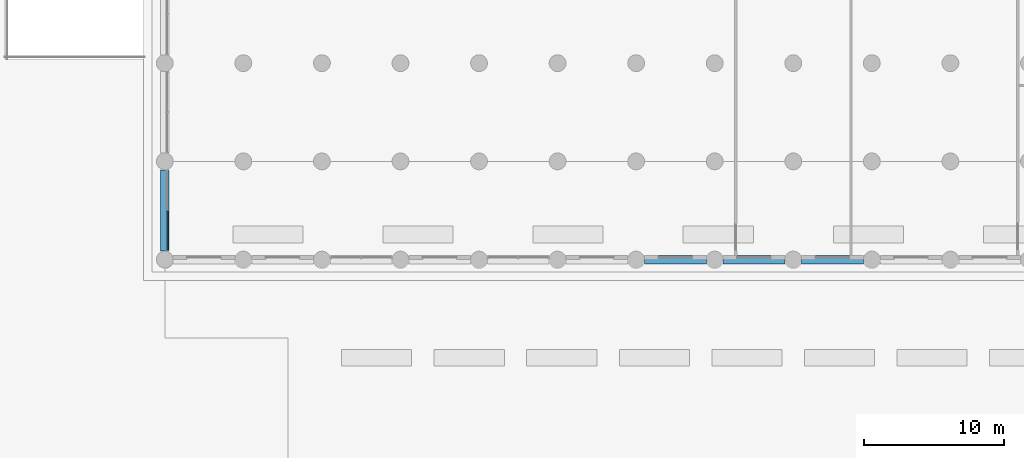
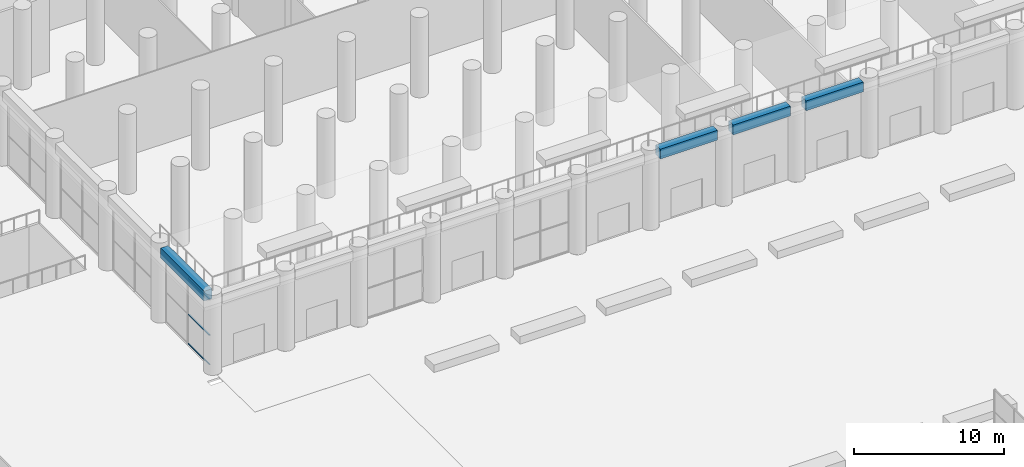
# One storey, part 4 of 51: 4 beams, 3 members, 1 element without a shape of its own.
"""IFC4 building model written with IfcOpenShell, lengths in metres."""

from ifc_helpers import new_model, si_unit, direction, frame, origin, origin_2d, place, context, subcontext, project, spatial, rectangle, extrude, material, layer, layer_set, material_profile, profile_set, type_object, element, aggregate, save


model = new_model("IFC4")

# Units and contexts
model_context = context("Model", 3, precision=1e-05, world=origin(), true_north=direction((0.0, 1.0)))
body_context = subcontext(model_context, "Body", "Model", "MODEL_VIEW")
ifc_project = project(units=[si_unit("LENGTHUNIT", "METRE"), si_unit("AREAUNIT", "SQUARE_METRE"), si_unit("VOLUMEUNIT", "CUBIC_METRE"), si_unit("PLANEANGLEUNIT", "RADIAN"), si_unit("MASSUNIT", "GRAM", prefix="KILO")], contexts=[model_context])

# Site, building, storey
site_placement = place(None, origin())
site = spatial("IfcSite", under=ifc_project, at=site_placement, CompositionType="ELEMENT")
building_placement = place(site_placement, origin())
building = spatial("IfcBuilding", under=site, at=building_placement, Name="Kiln Ring Residences", CompositionType="ELEMENT")
storey_placement = place(building_placement, origin())
storey = spatial("IfcBuildingStorey", under=building, at=storey_placement, Name="L00", CompositionType="ELEMENT", Elevation=0.0)

# Curtain wall, members
ifc_material_1 = material(Name="Aluminium and glass", Category="aluminium")
ifc_layer = layer(ifc_material_1, 0.179931640625)
ifc_layer_set = layer_set([ifc_layer], Name="CW2 CURTAIN WALL")
curtain_wall_type = type_object("IfcCurtainWallType", Name="CW2 CURTAIN WALL", PredefinedType="NOTDEFINED", material=ifc_layer_set)
curtain_wall_placement = place(storey_placement, origin())
curtain_wall = element("IfcCurtainWall", 1, at=curtain_wall_placement, inside=storey, type_object=curtain_wall_type, Name="Curtain wall CW2 L00", PredefinedType="NOTDEFINED")
ifc_material_2 = material(Name="Aluminium 6063-T6", Category="aluminium")
ifc_material_profile_1 = material_profile(ifc_material_2, rectangle(XDim=0.10009765625, YDim=0.050048828125, at=origin_2d()), Name="AL 100x50")
ifc_profile_set_1 = profile_set([ifc_material_profile_1], Name="Aluminium 6063-T6")
member_type = type_object("IfcMemberType", Name="CW2 TRANSOM 100 x 50", PredefinedType="USERDEFINED", material=ifc_profile_set_1)
member_1_placement = place(storey_placement, frame((-44.64990234375, -60.925048828125, 0.02490234375), z_axis=(0.0, -1.0, 0.0), x_axis=(1.0, 0.0, 0.0)))
member_1 = element("IfcMember", 2, at=member_1_placement, type_object=member_type, Name="CW2 transom 2.1", ObjectType="TRANSOM", PredefinedType="USERDEFINED", context=body_context, shape_type="SweptSolid", body=[
    extrude(rectangle(XDim=0.10009765625, YDim=0.050048828125, at=origin_2d()), origin(), (0.0, 0.0, 1.0), 2.824951171875),
])
member_2_placement = place(storey_placement, frame((-44.64990234375, -60.925048828125, 2.39990234375), z_axis=(0.0, -1.0, 0.0), x_axis=(1.0, 0.0, 0.0)))
member_2 = element("IfcMember", 3, at=member_2_placement, type_object=member_type, Name="CW2 transom 2.2", ObjectType="TRANSOM", PredefinedType="USERDEFINED", context=body_context, shape_type="SweptSolid", body=[
    extrude(rectangle(XDim=0.10009765625, YDim=0.050048828125, at=origin_2d()), origin(), (0.0, 0.0, 1.0), 2.824951171875),
])
member_3_placement = place(storey_placement, frame((-44.64990234375, -60.925048828125, 5.324951171875), z_axis=(0.0, -1.0, 0.0), x_axis=(1.0, 0.0, 0.0)))
member_3 = element("IfcMember", 4, at=member_3_placement, type_object=member_type, Name="CW2 transom 2.3", ObjectType="TRANSOM", PredefinedType="USERDEFINED", context=body_context, shape_type="SweptSolid", body=[
    extrude(rectangle(XDim=0.10009765625, YDim=0.050048828125, at=origin_2d()), origin(), (0.0, 0.0, 1.0), 2.824951171875),
])
aggregate(curtain_wall, [member_1, member_2, member_3])

# Beams
ifc_material_3 = material(Name="Concrete C50/60", Category="concrete")
ifc_material_profile_2 = material_profile(ifc_material_3, rectangle(XDim=0.60009765625, YDim=0.800048828125, at=origin_2d()), Name="RC600x800")
ifc_profile_set_2 = profile_set([ifc_material_profile_2], Name="Concrete C50/60")
beam_type = type_object("IfcBeamType", Name="Ring beam RC600x800 C50/60", PredefinedType="BEAM", material=ifc_profile_set_2)
beam_1_placement = place(storey_placement, frame((-10.60009765625, -64.39990234375, 5.75), z_axis=(1.0, 0.0, 0.0), x_axis=(0.0, 1.0, 0.0)))
element("IfcBeam", 5, at=beam_1_placement, inside=storey, type_object=beam_type, Name="Ring beam L00 7", PredefinedType="BEAM", context=body_context, shape_type="SweptSolid", body=[
    extrude(rectangle(XDim=0.60009765625, YDim=0.800048828125, at=origin_2d()), origin(), (0.0, 0.0, 1.0), 4.400146484375),
])
for number, where, z_axis, x_axis, name in (
    (6, (-5.0, -64.39990234375, 5.75), (1.0, 0.0, 0.0), (0.0, 1.0, 0.0), "Ring beam L00 8"),
    (7, (0.60009765625, -64.39990234375, 5.75), (1.0, 0.0, 0.0), (0.0, 1.0, 0.0), "Ring beam L00 9"),
):
    element("IfcBeam", number, at=place(storey_placement, frame(where, z_axis=z_axis, x_axis=x_axis)), inside=storey, type_object=beam_type, Name=name, PredefinedType="BEAM", context=body_context, shape_type="SweptSolid", body=[
        extrude(rectangle(XDim=0.60009765625, YDim=0.800048828125, at=origin_2d()), origin(), (0.0, 0.0, 1.0), 4.39990234375),
    ])
beam_2_placement = place(storey_placement, frame((-44.800048828125, -58.0, 5.75), z_axis=(0.0, -1.0, 0.0), x_axis=(1.0, 0.0, 0.0)))
element("IfcBeam", 8, at=beam_2_placement, inside=storey, type_object=beam_type, Name="Ring beam L00 22", PredefinedType="BEAM", context=body_context, shape_type="SweptSolid", body=[
    extrude(rectangle(XDim=0.60009765625, YDim=0.800048828125, at=origin_2d()), origin(), (0.0, 0.0, 1.0), 5.800048828125),
])

save(model, "model.ifc")
